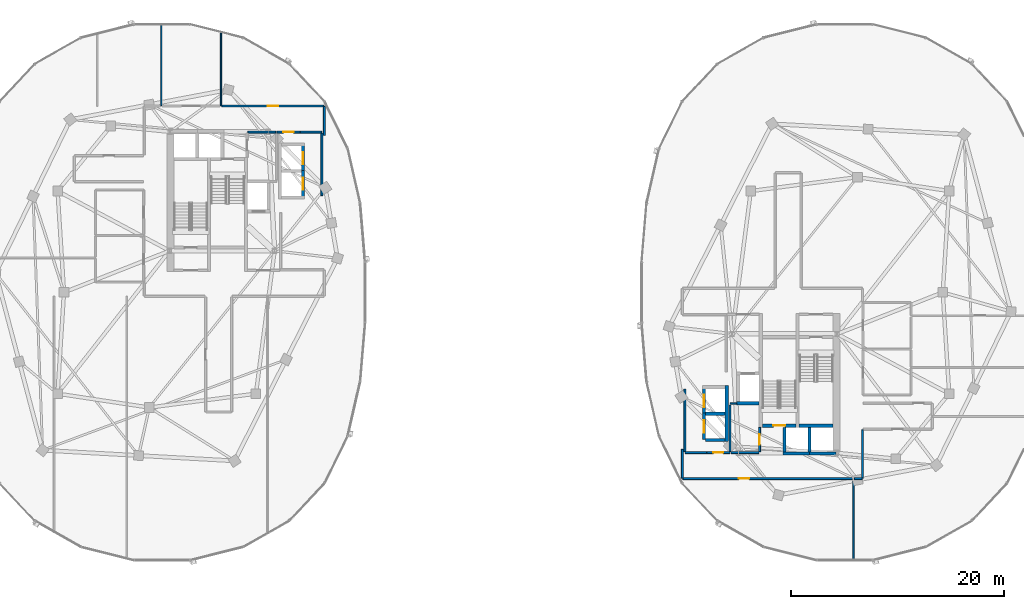
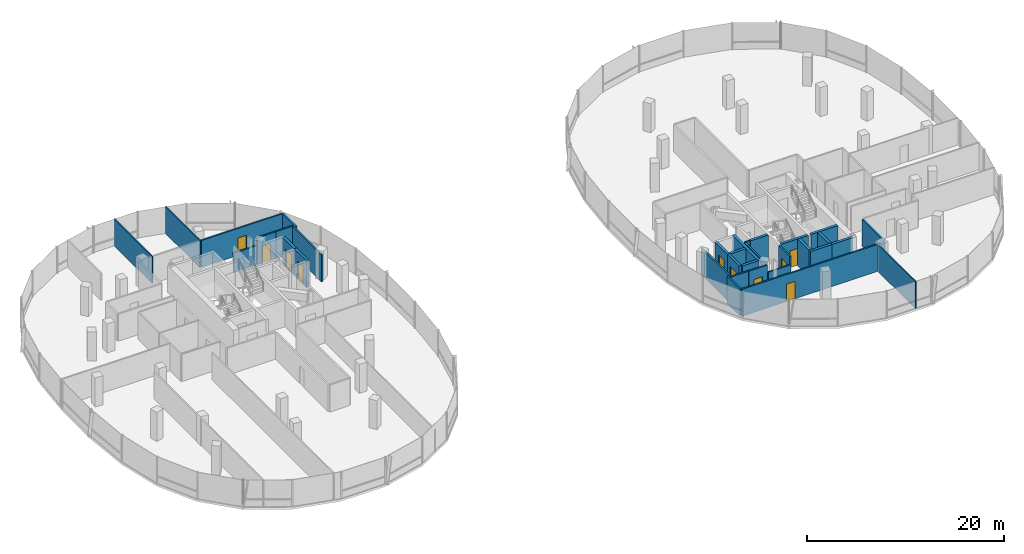
# One storey, part 16 of 25: 34 walls, 10 doors, 10 openings.
"""IFC4 building model written with IfcOpenShell, lengths in metres."""

from ifc_helpers import new_model, si_unit, direction, frame, frame_2d, origin, place, context, subcontext, project, spatial, rectangle, extrude, material, layer, layer_set, type_object, element, fill, save


model = new_model("IFC4")

# Units and contexts
model_context = context("Model", 3, precision=1e-05, world=origin(), true_north=direction((0.0, 1.0)))
body_context = subcontext(model_context, "Body", "Model", "MODEL_VIEW")
ifc_project = project(units=[si_unit("LENGTHUNIT", "METRE"), si_unit("AREAUNIT", "SQUARE_METRE"), si_unit("VOLUMEUNIT", "CUBIC_METRE"), si_unit("PLANEANGLEUNIT", "RADIAN"), si_unit("MASSUNIT", "GRAM", prefix="KILO"), si_unit("THERMODYNAMICTEMPERATUREUNIT", "KELVIN"), si_unit("POWERUNIT", "WATT")], contexts=[model_context])

# Site, building, storey
site_placement = place(None, origin())
site = spatial("IfcSite", under=ifc_project, at=site_placement, CompositionType="ELEMENT")
building_placement = place(site_placement, origin())
building = spatial("IfcBuilding", under=site, at=building_placement, Name="Cundina Bronze Exchange", CompositionType="ELEMENT")
storey_placement = place(building_placement, frame((0.0, 0.0, 199.0)))
storey = spatial("IfcBuildingStorey", under=building, at=storey_placement, Name="L52", CompositionType="ELEMENT", Elevation=199.0)

# Wall
ifc_material_1 = material(Name="Gypsum Fireboard Partition EI120")
ifc_layer_1 = layer(ifc_material_1, 0.179931640625, Name="Gypsum Fireboard Partition EI120")
ifc_layer_set_1 = layer_set([ifc_layer_1], Name="Gypsum Fireboard Partition EI120")
wall_type_1 = type_object("IfcWallType", Name="WL-COR-180", PredefinedType="PARTITIONING", material=ifc_layer_set_1)
wall_1_placement = place(storey_placement, frame((-17.02001953125, 9.070068359375, 0.0), z_axis=(0.0, 0.0, 1.0), x_axis=(0.0, 1.0, 0.0)))
element("IfcWall", 1, at=wall_1_placement, inside=storey, type_object=wall_type_1, Name="L52 Interior Partition 001", PredefinedType="PARTITIONING", context=body_context, shape_type="SweptSolid", body=[
    extrude(rectangle(XDim=5.85986328125, YDim=0.179931640625, at=frame_2d((2.929931640625, 0.0))), origin(), (0.0, 0.0, 1.0), 3.340087890625),
])

# Wall, opening, door
wall_2_placement = place(storey_placement, frame((-21.22998046875, 15.030029296875, 0.0), z_axis=(0.0, 0.0, 1.0), x_axis=(1.0, 0.0, 0.0)))
wall_2 = element("IfcWall", 2, at=wall_2_placement, inside=storey, type_object=wall_type_1, Name="L52 Interior Partition 002", PredefinedType="PARTITIONING", context=body_context, shape_type="SweptSolid", body=[
    extrude(rectangle(XDim=2.159912109375, YDim=0.179931640625, at=frame_2d((1.080078125, 0.0))), origin(), (0.0, 0.0, 1.0), 3.340087890625),
])
opening_1_placement = place(wall_2_placement, frame((0.60498046875, 0.0, 0.0)))
opening_1 = element("IfcOpeningElement", 3, at=opening_1_placement, cuts=wall_2, Name="Opening DW-01", PredefinedType="OPENING", context=body_context, shape_type="SweptSolid", body=[
    extrude(rectangle(XDim=0.949951171875, YDim=2.10009765625, at=frame_2d((0.47509765625, 1.050048828125))), frame((0.0, 0.099853515625, 0.0), z_axis=(0.0, -1.0, 0.0), x_axis=(1.0, 0.0, 0.0)), (0.0, 0.0, 1.0), 0.199951171875),
])
ifc_material_2 = material(Name="Solid Andean Oak Timber Grade A", Category="wood")
door_type_1 = type_object("IfcDoorType", Name="DR-WC-950", OperationType="NOTDEFINED", PredefinedType="DOOR", material=ifc_material_2)
door_1_placement = place(opening_1_placement, origin())
door_1 = element("IfcDoor", 4, at=door_1_placement, inside=storey, type_object=door_type_1, Name="L52 Interior Door 002", OperationType="SINGLE_SWING_LEFT", OverallHeight=2.10009765625, OverallWidth=0.949951171875, PredefinedType="DOOR", context=body_context, shape_type="SweptSolid", body=[
    extrude(rectangle(XDim=0.949951171875, YDim=2.10009765625, at=frame_2d((0.47509765625, 1.050048828125))), frame((0.0, 0.02490234375, 0.0), z_axis=(0.0, -1.0, 0.0), x_axis=(1.0, 0.0, 0.0)), (0.0, 0.0, 1.0), 0.050048828125),
])
fill(opening_1, door_1)

# Walls
wall_3_placement = place(storey_placement, frame((-19.030029296875, 15.030029296875, 0.0), z_axis=(0.0, 0.0, 1.0), x_axis=(1.0, 0.0, 0.0)))
element("IfcWall", 5, at=wall_3_placement, inside=storey, type_object=wall_type_1, Name="L52 Interior Partition 003", PredefinedType="PARTITIONING", context=body_context, shape_type="SweptSolid", body=[
    extrude(rectangle(XDim=1.989990234375, YDim=0.179931640625, at=frame_2d((0.9951171875, 0.0))), origin(), (0.0, 0.0, 1.0), 3.340087890625),
])
wall_4_placement = place(storey_placement, frame((-23.9599609375, 15.030029296875, 0.0), z_axis=(0.0, 0.0, 1.0), x_axis=(1.0, 0.0, 0.0)))
element("IfcWall", 6, at=wall_4_placement, inside=storey, type_object=wall_type_1, Name="L52 Interior Partition 006", PredefinedType="PARTITIONING", context=body_context, shape_type="SweptSolid", body=[
    extrude(rectangle(XDim=2.60986328125, YDim=0.179931640625, at=frame_2d((1.304931640625, 0.0))), origin(), (0.0, 0.0, 1.0), 2.4130859375),
])

# Wall, opening, door
wall_5_placement = place(storey_placement, frame((-16.821533203125, 17.469970703125, 0.0), z_axis=(0.0, 0.0, 1.0), x_axis=(-1.0, 0.0, 0.0)))
wall_5 = element("IfcWall", 7, at=wall_5_placement, inside=storey, type_object=wall_type_1, Name="L52 Interior Partition 029", PredefinedType="PARTITIONING", context=body_context, shape_type="SweptSolid", body=[
    extrude(rectangle(XDim=9.568359375, YDim=0.179931640625, at=frame_2d((4.7841796875, 0.0))), origin(), (0.0, 0.0, 1.0), 3.340087890625),
])
opening_2_placement = place(wall_5_placement, frame((4.2841796875, 0.0, 0.0)))
opening_2 = element("IfcOpeningElement", 8, at=opening_2_placement, cuts=wall_5, Name="Opening DO-01", PredefinedType="OPENING", context=body_context, shape_type="SweptSolid", body=[
    extrude(rectangle(XDim=1.0, YDim=2.14990234375, at=frame_2d((0.5, 1.074951171875))), frame((0.0, 0.099853515625, 0.0), z_axis=(0.0, -1.0, 0.0), x_axis=(1.0, 0.0, 0.0)), (0.0, 0.0, 1.0), 0.199951171875),
])
door_type_2 = type_object("IfcDoorType", Name="DR-OFF-1000", OperationType="NOTDEFINED", PredefinedType="DOOR", material=ifc_material_2)
door_2_placement = place(opening_2_placement, origin())
door_2 = element("IfcDoor", 9, at=door_2_placement, inside=storey, type_object=door_type_2, Name="L52 Interior Door 029", OperationType="SINGLE_SWING_RIGHT", OverallHeight=2.14990234375, OverallWidth=1.0, PredefinedType="DOOR", context=body_context, shape_type="SweptSolid", body=[
    extrude(rectangle(XDim=1.0, YDim=2.14990234375, at=frame_2d((0.5, 1.074951171875))), frame((0.0, 0.02490234375, 0.0), z_axis=(0.0, -1.0, 0.0), x_axis=(1.0, 0.0, 0.0)), (0.0, 0.0, 1.0), 0.050048828125),
])
fill(opening_2, door_2)

# Walls
wall_6_placement = place(storey_placement, frame((-16.780029296875, 14.721435546875, 0.0), z_axis=(0.0, 0.0, 1.0), x_axis=(0.0, 1.0, 0.0)))
element("IfcWall", 10, at=wall_6_placement, inside=storey, type_object=wall_type_1, Name="L52 Interior Partition 032", PredefinedType="PARTITIONING", context=body_context, shape_type="SweptSolid", body=[
    extrude(rectangle(XDim=2.70703125, YDim=0.179931640625, at=frame_2d((1.353515625, 0.0))), origin(), (0.0, 0.0, 1.0), 3.340087890625),
])
wall_7_placement = place(storey_placement, frame((17.02001953125, -14.929931640625, 0.0), z_axis=(0.0, 0.0, 1.0), x_axis=(0.0, 1.0, 0.0)))
element("IfcWall", 11, at=wall_7_placement, inside=storey, type_object=wall_type_1, Name="L52 Interior Partition 040", PredefinedType="PARTITIONING", context=body_context, shape_type="SweptSolid", body=[
    extrude(rectangle(XDim=5.85986328125, YDim=0.179931640625, at=frame_2d((2.929931640625, 0.0))), origin(), (0.0, 0.0, 1.0), 3.340087890625),
])
wall_8_placement = place(storey_placement, frame((17.0400390625, -15.030029296875, 0.0), z_axis=(0.0, 0.0, 1.0), x_axis=(1.0, 0.0, 0.0)))
element("IfcWall", 12, at=wall_8_placement, inside=storey, type_object=wall_type_1, Name="L52 Interior Partition 041", PredefinedType="PARTITIONING", context=body_context, shape_type="SweptSolid", body=[
    extrude(rectangle(XDim=1.989990234375, YDim=0.179931640625, at=frame_2d((0.9951171875, 0.0))), origin(), (0.0, 0.0, 1.0), 3.340087890625),
])

# Wall, opening, door
wall_9_placement = place(storey_placement, frame((21.22998046875, -15.030029296875, 0.0), z_axis=(0.0, 0.0, 1.0), x_axis=(-1.0, 0.0, 0.0)))
wall_9 = element("IfcWall", 13, at=wall_9_placement, inside=storey, type_object=wall_type_1, Name="L52 Interior Partition 042", PredefinedType="PARTITIONING", context=body_context, shape_type="SweptSolid", body=[
    extrude(rectangle(XDim=2.159912109375, YDim=0.179931640625, at=frame_2d((1.080078125, 0.0))), origin(), (0.0, 0.0, 1.0), 3.340087890625),
])
opening_3_placement = place(wall_9_placement, frame((0.60498046875, 0.0, 0.0)))
opening_3 = element("IfcOpeningElement", 14, at=opening_3_placement, cuts=wall_9, Name="Opening DW-01", PredefinedType="OPENING", context=body_context, shape_type="SweptSolid", body=[
    extrude(rectangle(XDim=0.949951171875, YDim=2.10009765625, at=frame_2d((0.47509765625, 1.050048828125))), frame((0.0, 0.099853515625, 0.0), z_axis=(0.0, -1.0, 0.0), x_axis=(1.0, 0.0, 0.0)), (0.0, 0.0, 1.0), 0.199951171875),
])
door_3_placement = place(opening_3_placement, origin())
door_3 = element("IfcDoor", 15, at=door_3_placement, inside=storey, type_object=door_type_1, Name="L52 Interior Door 042", OperationType="SINGLE_SWING_RIGHT", OverallHeight=2.10009765625, OverallWidth=0.949951171875, PredefinedType="DOOR", context=body_context, shape_type="SweptSolid", body=[
    extrude(rectangle(XDim=0.949951171875, YDim=2.10009765625, at=frame_2d((0.47509765625, 1.050048828125))), frame((0.0, 0.02490234375, 0.0), z_axis=(0.0, -1.0, 0.0), x_axis=(1.0, 0.0, 0.0)), (0.0, 0.0, 1.0), 0.050048828125),
])
fill(opening_3, door_3)

# Walls
wall_10_placement = place(storey_placement, frame((21.25, -14.929931640625, 0.0), z_axis=(0.0, 0.0, 1.0), x_axis=(0.0, 1.0, 0.0)))
element("IfcWall", 16, at=wall_10_placement, inside=storey, type_object=wall_type_1, Name="L52 Interior Partition 044", PredefinedType="PARTITIONING", context=body_context, shape_type="SweptSolid", body=[
    extrude(rectangle(XDim=4.35986328125, YDim=0.179931640625, at=frame_2d((2.179931640625, 0.0))), origin(), (0.0, 0.0, 1.0), 3.340087890625),
])
wall_11_placement = place(storey_placement, frame((21.35009765625, -15.030029296875, 0.0), z_axis=(0.0, 0.0, 1.0), x_axis=(1.0, 0.0, 0.0)))
element("IfcWall", 17, at=wall_11_placement, inside=storey, type_object=wall_type_1, Name="L52 Interior Partition 045", PredefinedType="PARTITIONING", context=body_context, shape_type="SweptSolid", body=[
    extrude(rectangle(XDim=2.60986328125, YDim=0.179931640625, at=frame_2d((1.304931640625, 0.0))), origin(), (0.0, 0.0, 1.0), 2.4130859375),
])

# Wall, opening, door
wall_12_placement = place(storey_placement, frame((24.02001953125, -14.929931640625, 0.0), z_axis=(0.0, 0.0, 1.0), x_axis=(0.0, 1.0, 0.0)))
wall_12 = element("IfcWall", 18, at=wall_12_placement, inside=storey, type_object=wall_type_1, Name="L52 Interior Partition 046", PredefinedType="PARTITIONING", context=body_context, shape_type="SweptSolid", body=[
    extrude(rectangle(XDim=2.260009765625, YDim=0.179931640625, at=frame_2d((1.1298828125, 0.0))), origin(), (0.0, 0.0, 1.0), 3.340087890625),
])
opening_4_placement = place(wall_12_placement, frame((0.655029296875, 0.0, 0.0)))
opening_4 = element("IfcOpeningElement", 19, at=opening_4_placement, cuts=wall_12, Name="Opening DW-01", PredefinedType="OPENING", context=body_context, shape_type="SweptSolid", body=[
    extrude(rectangle(XDim=0.949951171875, YDim=2.10009765625, at=frame_2d((0.47509765625, 1.050048828125))), frame((0.0, 0.099853515625, 0.0), z_axis=(0.0, -1.0, 0.0), x_axis=(1.0, 0.0, 0.0)), (0.0, 0.0, 1.0), 0.199951171875),
])
door_4_placement = place(opening_4_placement, origin())
door_4 = element("IfcDoor", 20, at=door_4_placement, inside=storey, type_object=door_type_1, Name="L52 Interior Door 046", OperationType="SINGLE_SWING_RIGHT", OverallHeight=2.10009765625, OverallWidth=0.949951171875, PredefinedType="DOOR", context=body_context, shape_type="SweptSolid", body=[
    extrude(rectangle(XDim=0.949951171875, YDim=2.10009765625, at=frame_2d((0.47509765625, 1.050048828125))), frame((0.0, 0.02490234375, 0.0), z_axis=(0.0, -1.0, 0.0), x_axis=(1.0, 0.0, 0.0)), (0.0, 0.0, 1.0), 0.050048828125),
])
fill(opening_4, door_4)

# Walls
wall_13_placement = place(storey_placement, frame((33.669921875, -17.428466796875, 0.0), z_axis=(0.0, 0.0, 1.0), x_axis=(0.0, 1.0, 0.0)))
element("IfcWall", 21, at=wall_13_placement, inside=storey, type_object=wall_type_1, Name="L52 Interior Partition 060", PredefinedType="PARTITIONING", context=body_context, shape_type="SweptSolid", body=[
    extrude(rectangle(XDim=4.528564453125, YDim=0.179931640625, at=frame_2d((2.26416015625, 0.0))), origin(), (0.0, 0.0, 1.0), 3.340087890625),
])
wall_14_placement = place(storey_placement, frame((32.909912109375, -17.469970703125, 0.0), z_axis=(0.0, 0.0, 1.0), x_axis=(1.0, 0.0, 0.0)))
element("IfcWall", 22, at=wall_14_placement, inside=storey, type_object=wall_type_1, Name="L52 Interior Partition 062", PredefinedType="PARTITIONING", context=body_context, shape_type="SweptSolid", body=[
    extrude(rectangle(XDim=0.718505859375, YDim=0.179931640625, at=frame_2d((0.359375, 0.0))), origin(), (0.0, 0.0, 1.0), 3.340087890625),
])

# Wall, opening, door
wall_15_placement = place(storey_placement, frame((16.821533203125, -17.469970703125, 0.0), z_axis=(0.0, 0.0, 1.0), x_axis=(1.0, 0.0, 0.0)))
wall_15 = element("IfcWall", 23, at=wall_15_placement, inside=storey, type_object=wall_type_1, Name="L52 Interior Partition 065", PredefinedType="PARTITIONING", context=body_context, shape_type="SweptSolid", body=[
    extrude(rectangle(XDim=15.908447265625, YDim=0.179931640625, at=frame_2d((7.9541015625, 0.0))), origin(), (0.0, 0.0, 1.0), 3.340087890625),
])
opening_5_placement = place(wall_15_placement, frame((5.25390625, 0.0, 0.0)))
opening_5 = element("IfcOpeningElement", 24, at=opening_5_placement, cuts=wall_15, Name="Opening DO-01", PredefinedType="OPENING", context=body_context, shape_type="SweptSolid", body=[
    extrude(rectangle(XDim=1.0, YDim=2.14990234375, at=frame_2d((0.5, 1.074951171875))), frame((0.0, 0.099853515625, 0.0), z_axis=(0.0, -1.0, 0.0), x_axis=(1.0, 0.0, 0.0)), (0.0, 0.0, 1.0), 0.199951171875),
])
door_5_placement = place(opening_5_placement, origin())
door_5 = element("IfcDoor", 25, at=door_5_placement, inside=storey, type_object=door_type_2, Name="L52 Interior Door 065", OperationType="SINGLE_SWING_LEFT", OverallHeight=2.14990234375, OverallWidth=1.0, PredefinedType="DOOR", context=body_context, shape_type="SweptSolid", body=[
    extrude(rectangle(XDim=1.0, YDim=2.14990234375, at=frame_2d((0.5, 1.074951171875))), frame((0.0, 0.02490234375, 0.0), z_axis=(0.0, -1.0, 0.0), x_axis=(1.0, 0.0, 0.0)), (0.0, 0.0, 1.0), 0.050048828125),
])
fill(opening_5, door_5)

# Walls
wall_16_placement = place(storey_placement, frame((16.780029296875, -14.721435546875, 0.0), z_axis=(0.0, 0.0, 1.0), x_axis=(0.0, -1.0, 0.0)))
element("IfcWall", 26, at=wall_16_placement, inside=storey, type_object=wall_type_1, Name="L52 Interior Partition 071", PredefinedType="PARTITIONING", context=body_context, shape_type="SweptSolid", body=[
    extrude(rectangle(XDim=2.70703125, YDim=0.179931640625, at=frame_2d((1.353515625, 0.0))), origin(), (0.0, 0.0, 1.0), 3.340087890625),
])
ifc_material_3 = material(Name="Gypsum Acoustic Partition EI60")
ifc_layer_2 = layer(ifc_material_3, 0.125, Name="Gypsum Acoustic Partition EI60")
ifc_layer_set_2 = layer_set([ifc_layer_2], Name="Gypsum Acoustic Partition EI60")
wall_type_2 = type_object("IfcWallType", Name="WL-OFF-125", PredefinedType="PARTITIONING", material=ifc_layer_set_2)
wall_17_placement = place(storey_placement, frame((-32.080078125, 17.5, 0.0), z_axis=(0.0, 0.0, 1.0), x_axis=(0.0, 1.0, 0.0)))
element("IfcWall", 27, at=wall_17_placement, inside=storey, type_object=wall_type_2, Name="L52 Interior Partition 021", PredefinedType="PARTITIONING", context=body_context, shape_type="SweptSolid", body=[
    extrude(rectangle(XDim=7.68994140625, YDim=0.125, at=frame_2d((3.844970703125, 0.0))), origin(), (0.0, 0.0, 1.0), 3.340087890625),
])
wall_18_placement = place(storey_placement, frame((-26.47998046875, 17.5, 0.0), z_axis=(0.0, 0.0, 1.0), x_axis=(0.0, 1.0, 0.0)))
element("IfcWall", 28, at=wall_18_placement, inside=storey, type_object=wall_type_2, Name="L52 Interior Partition 022", PredefinedType="PARTITIONING", context=body_context, shape_type="SweptSolid", body=[
    extrude(rectangle(XDim=6.961181640625, YDim=0.125, at=frame_2d((3.48046875, 0.0))), origin(), (0.0, 0.0, 1.0), 3.340087890625),
])
wall_19_placement = place(storey_placement, frame((32.820068359375, -25.18994140625, 0.0), z_axis=(0.0, 0.0, 1.0), x_axis=(0.0, 1.0, 0.0)))
element("IfcWall", 29, at=wall_19_placement, inside=storey, type_object=wall_type_2, Name="L52 Interior Partition 058", PredefinedType="PARTITIONING", context=body_context, shape_type="SweptSolid", body=[
    extrude(rectangle(XDim=7.68994140625, YDim=0.125, at=frame_2d((3.844970703125, 0.0))), origin(), (0.0, 0.0, 1.0), 3.340087890625),
])

# Wall, opening, door
ifc_material_4 = material(Name="Concrete C50/60", Category="concrete")
ifc_layer_3 = layer(ifc_material_4, 0.300048828125, Name="Concrete C50/60", Category="concrete")
ifc_layer_set_3 = layer_set([ifc_layer_3], Name="Concrete C50/60")
wall_type_3 = type_object("IfcWallType", Name="WL-SHFT-300", PredefinedType="SHEAR", material=ifc_layer_set_3)
wall_20_placement = place(storey_placement, frame((-18.800048828125, 8.929931640625, 0.0), z_axis=(0.0, 0.0, 1.0), x_axis=(0.0, 1.0, 0.0)))
wall_20 = element("IfcWall", 30, at=wall_20_placement, inside=storey, type_object=wall_type_3, Name="L52 PM-W2 Hoistway Front Wall", PredefinedType="SHEAR", context=body_context, shape_type="SweptSolid", body=[
    extrude(rectangle(XDim=2.489990234375, YDim=0.300048828125, at=frame_2d((1.2451171875, 0.0))), origin(), (0.0, 0.0, 1.0), 3.340087890625),
])
opening_6_placement = place(wall_20_placement, frame((0.669921875, 0.0, 0.0)))
opening_6 = element("IfcOpeningElement", 31, at=opening_6_placement, cuts=wall_20, Name="Opening LD-01", PredefinedType="OPENING", context=body_context, shape_type="SweptSolid", body=[
    extrude(rectangle(XDim=1.14990234375, YDim=2.199951171875, at=frame_2d((0.574951171875, 1.10009765625))), frame((0.0, 0.159912109375, 0.0), z_axis=(0.0, -1.0, 0.0), x_axis=(1.0, 0.0, 0.0)), (0.0, 0.0, 1.0), 0.320068359375),
])
ifc_material_5 = material(Name="Steel ASTM A36 Painted", Category="steel")
door_type_3 = type_object("IfcDoorType", Name="DR-LND-1150", OperationType="NOTDEFINED", PredefinedType="TRAPDOOR", material=ifc_material_5)
door_6_placement = place(opening_6_placement, origin())
door_6 = element("IfcDoor", 32, at=door_6_placement, inside=storey, type_object=door_type_3, Name="L52 PM-W2 Sliding Landing Door", OperationType="SLIDING_TO_LEFT", OverallHeight=2.199951171875, OverallWidth=1.14990234375, PredefinedType="TRAPDOOR", context=body_context, shape_type="SweptSolid", body=[
    extrude(rectangle(XDim=1.14990234375, YDim=2.199951171875, at=frame_2d((0.574951171875, 1.10009765625))), frame((0.0, 0.02490234375, 0.0), z_axis=(0.0, -1.0, 0.0), x_axis=(1.0, 0.0, 0.0)), (0.0, 0.0, 1.0), 0.050048828125),
])
fill(opening_6, door_6)

wall_21_placement = place(storey_placement, frame((-18.800048828125, 11.330078125, 0.0), z_axis=(0.0, 0.0, 1.0), x_axis=(0.0, 1.0, 0.0)))
wall_21 = element("IfcWall", 33, at=wall_21_placement, inside=storey, type_object=wall_type_3, Name="L52 PM-W1 Hoistway Front Wall", PredefinedType="SHEAR", context=body_context, shape_type="SweptSolid", body=[
    extrude(rectangle(XDim=2.489990234375, YDim=0.300048828125, at=frame_2d((1.2451171875, 0.0))), origin(), (0.0, 0.0, 1.0), 3.340087890625),
])
opening_7_placement = place(wall_21_placement, frame((0.669921875, 0.0, 0.0)))
opening_7 = element("IfcOpeningElement", 34, at=opening_7_placement, cuts=wall_21, Name="Opening LD-01", PredefinedType="OPENING", context=body_context, shape_type="SweptSolid", body=[
    extrude(rectangle(XDim=1.14990234375, YDim=2.199951171875, at=frame_2d((0.574951171875, 1.10009765625))), frame((0.0, 0.159912109375, 0.0), z_axis=(0.0, -1.0, 0.0), x_axis=(1.0, 0.0, 0.0)), (0.0, 0.0, 1.0), 0.320068359375),
])
door_7_placement = place(opening_7_placement, origin())
door_7 = element("IfcDoor", 35, at=door_7_placement, inside=storey, type_object=door_type_3, Name="L52 PM-W1 Sliding Landing Door", OperationType="SLIDING_TO_LEFT", OverallHeight=2.199951171875, OverallWidth=1.14990234375, PredefinedType="TRAPDOOR", context=body_context, shape_type="SweptSolid", body=[
    extrude(rectangle(XDim=1.14990234375, YDim=2.199951171875, at=frame_2d((0.574951171875, 1.10009765625))), frame((0.0, 0.02490234375, 0.0), z_axis=(0.0, -1.0, 0.0), x_axis=(1.0, 0.0, 0.0)), (0.0, 0.0, 1.0), 0.050048828125),
])
fill(opening_7, door_7)

# Wall
wall_22_placement = place(storey_placement, frame((27.739990234375, -12.5, 0.0), z_axis=(0.0, 0.0, 1.0), x_axis=(1.0, 0.0, 0.0)))
element("IfcWall", 36, at=wall_22_placement, inside=storey, type_object=wall_type_3, Name="L52 Stair E1 Far Shaft Wall", PredefinedType="SHEAR", context=body_context, shape_type="SweptSolid", body=[
    extrude(rectangle(XDim=3.159912109375, YDim=0.300048828125, at=frame_2d((1.580078125, 0.0))), origin(), (0.0, 0.0, 1.0), 3.340087890625),
])

# Wall, opening, door
wall_23_placement = place(storey_placement, frame((24.280029296875, -12.5, 0.0), z_axis=(0.0, 0.0, 1.0), x_axis=(1.0, 0.0, 0.0)))
wall_23 = element("IfcWall", 37, at=wall_23_placement, inside=storey, type_object=wall_type_3, Name="L52 Stair E2 Landing Wall", PredefinedType="SHEAR", context=body_context, shape_type="SweptSolid", body=[
    extrude(rectangle(XDim=3.159912109375, YDim=0.300048828125, at=frame_2d((1.580078125, 0.0))), origin(), (0.0, 0.0, 1.0), 3.340087890625),
])
opening_8_placement = place(wall_23_placement, frame((1.030029296875, 0.0, 0.0)))
opening_8 = element("IfcOpeningElement", 38, at=opening_8_placement, cuts=wall_23, Name="Opening DS-01", PredefinedType="OPENING", context=body_context, shape_type="SweptSolid", body=[
    extrude(rectangle(XDim=1.10009765625, YDim=2.14990234375, at=frame_2d((0.550048828125, 1.074951171875))), frame((0.0, 0.159912109375, 0.0), z_axis=(0.0, -1.0, 0.0), x_axis=(1.0, 0.0, 0.0)), (0.0, 0.0, 1.0), 0.320068359375),
])
door_type_4 = type_object("IfcDoorType", Name="DR-STR-1100", OperationType="NOTDEFINED", PredefinedType="DOOR", material=ifc_material_5)
door_8_placement = place(opening_8_placement, origin())
door_8 = element("IfcDoor", 39, at=door_8_placement, inside=storey, type_object=door_type_4, Name="L52 Smokeproof Stair E2 Door", OperationType="SINGLE_SWING_RIGHT", OverallHeight=2.14990234375, OverallWidth=1.10009765625, PredefinedType="DOOR", context=body_context, shape_type="SweptSolid", body=[
    extrude(rectangle(XDim=1.10009765625, YDim=2.14990234375, at=frame_2d((0.550048828125, 1.074951171875))), frame((0.0, 0.02490234375, 0.0), z_axis=(0.0, -1.0, 0.0), x_axis=(1.0, 0.0, 0.0)), (0.0, 0.0, 1.0), 0.050048828125),
])
fill(opening_8, door_8)

# Walls
wall_24_placement = place(storey_placement, frame((21.8798828125, -10.39990234375, 0.0), z_axis=(0.0, 0.0, 1.0), x_axis=(1.0, 0.0, 0.0)))
element("IfcWall", 40, at=wall_24_placement, inside=storey, type_object=wall_type_3, Name="L52 FFL-E Hoistway Back Wall", PredefinedType="SHEAR", context=body_context, shape_type="SweptSolid", body=[
    extrude(rectangle(XDim=2.10009765625, YDim=0.300048828125, at=frame_2d((1.050048828125, 0.0))), origin(), (0.0, 0.0, 1.0), 3.340087890625),
])
wall_25_placement = place(storey_placement, frame((28.699951171875, -15.10009765625, 0.0), z_axis=(0.0, 0.0, 1.0), x_axis=(1.0, 0.0, 0.0)))
element("IfcWall", 41, at=wall_25_placement, inside=storey, type_object=wall_type_3, Name="L52 PH-E1 Hoistway Front Wall", PredefinedType="SHEAR", context=body_context, shape_type="SweptSolid", body=[
    extrude(rectangle(XDim=2.5, YDim=0.300048828125, at=frame_2d((1.25, 0.0))), origin(), (0.0, 0.0, 1.0), 3.340087890625),
])
wall_26_placement = place(storey_placement, frame((28.699951171875, -14.949951171875, 0.0), z_axis=(0.0, 0.0, 1.0), x_axis=(0.0, 1.0, 0.0)))
element("IfcWall", 42, at=wall_26_placement, inside=storey, type_object=wall_type_3, Name="L52 PH-E1 Hoistway Divider Wall", PredefinedType="SHEAR", context=body_context, shape_type="SweptSolid", body=[
    extrude(rectangle(XDim=2.300048828125, YDim=0.300048828125, at=frame_2d((1.14990234375, 0.0))), origin(), (0.0, 0.0, 1.0), 3.340087890625),
])
wall_27_placement = place(storey_placement, frame((26.199951171875, -15.10009765625, 0.0), z_axis=(0.0, 0.0, 1.0), x_axis=(1.0, 0.0, 0.0)))
element("IfcWall", 43, at=wall_27_placement, inside=storey, type_object=wall_type_3, Name="L52 PH-E2 Hoistway Front Wall", PredefinedType="SHEAR", context=body_context, shape_type="SweptSolid", body=[
    extrude(rectangle(XDim=2.5, YDim=0.300048828125, at=frame_2d((1.25, 0.0))), origin(), (0.0, 0.0, 1.0), 3.340087890625),
])
wall_28_placement = place(storey_placement, frame((26.35009765625, -14.949951171875, 0.0), z_axis=(0.0, 0.0, 1.0), x_axis=(0.0, 1.0, 0.0)))
element("IfcWall", 44, at=wall_28_placement, inside=storey, type_object=wall_type_3, Name="L52 PH-E2 Hoistway Divider Wall", PredefinedType="SHEAR", context=body_context, shape_type="SweptSolid", body=[
    extrude(rectangle(XDim=2.300048828125, YDim=0.300048828125, at=frame_2d((1.14990234375, 0.0))), origin(), (0.0, 0.0, 1.0), 3.340087890625),
])
wall_29_placement = place(storey_placement, frame((20.949951171875, -14.0, 0.0), z_axis=(0.0, 0.0, 1.0), x_axis=(0.0, 1.0, 0.0)))
element("IfcWall", 45, at=wall_29_placement, inside=storey, type_object=wall_type_3, Name="L52 E Passenger Bank Hoistway Back Wall", PredefinedType="SHEAR", context=body_context, shape_type="SweptSolid", body=[
    extrude(rectangle(XDim=5.25, YDim=0.300048828125, at=frame_2d((2.625, 0.0))), origin(), (0.0, 0.0, 1.0), 3.340087890625),
])
for number, where, z_axis, x_axis, name in (
    (46, (18.949951171875, -13.85009765625, 0.0), (0.0, 0.0, 1.0), (1.0, 0.0, 0.0), "L52 E Passenger Bank South Cap Wall"),
    (47, (18.949951171875, -11.375, 0.0), (0.0, 0.0, 1.0), (1.0, 0.0, 0.0), "L52 E Passenger Hoistway Divider 1"),
):
    element("IfcWall", number, at=place(storey_placement, frame(where, z_axis=z_axis, x_axis=x_axis)), inside=storey, type_object=wall_type_3, Name=name, PredefinedType="SHEAR", context=body_context, shape_type="SweptSolid", body=[
        extrude(rectangle(XDim=1.85009765625, YDim=0.300048828125, at=frame_2d((0.925048828125, 0.0))), origin(), (0.0, 0.0, 1.0), 3.340087890625),
    ])

# Wall, opening, door
wall_30_placement = place(storey_placement, frame((18.800048828125, -13.820068359375, 0.0), z_axis=(0.0, 0.0, 1.0), x_axis=(0.0, 1.0, 0.0)))
wall_30 = element("IfcWall", 48, at=wall_30_placement, inside=storey, type_object=wall_type_3, Name="L52 PM-E1 Hoistway Front Wall", PredefinedType="SHEAR", context=body_context, shape_type="SweptSolid", body=[
    extrude(rectangle(XDim=2.489990234375, YDim=0.300048828125, at=frame_2d((1.2451171875, 0.0))), origin(), (0.0, 0.0, 1.0), 3.340087890625),
])
opening_9_placement = place(wall_30_placement, frame((0.669921875, 0.0, 0.0)))
opening_9 = element("IfcOpeningElement", 49, at=opening_9_placement, cuts=wall_30, Name="Opening LD-01", PredefinedType="OPENING", context=body_context, shape_type="SweptSolid", body=[
    extrude(rectangle(XDim=1.14990234375, YDim=2.199951171875, at=frame_2d((0.574951171875, 1.10009765625))), frame((0.0, 0.159912109375, 0.0), z_axis=(0.0, -1.0, 0.0), x_axis=(1.0, 0.0, 0.0)), (0.0, 0.0, 1.0), 0.320068359375),
])
door_9_placement = place(opening_9_placement, origin())
door_9 = element("IfcDoor", 50, at=door_9_placement, inside=storey, type_object=door_type_3, Name="L52 PM-E1 Sliding Landing Door", OperationType="SLIDING_TO_LEFT", OverallHeight=2.199951171875, OverallWidth=1.14990234375, PredefinedType="TRAPDOOR", context=body_context, shape_type="SweptSolid", body=[
    extrude(rectangle(XDim=1.14990234375, YDim=2.199951171875, at=frame_2d((0.574951171875, 1.10009765625))), frame((0.0, 0.02490234375, 0.0), z_axis=(0.0, -1.0, 0.0), x_axis=(1.0, 0.0, 0.0)), (0.0, 0.0, 1.0), 0.050048828125),
])
fill(opening_9, door_9)

wall_31_placement = place(storey_placement, frame((18.800048828125, -11.419921875, 0.0), z_axis=(0.0, 0.0, 1.0), x_axis=(0.0, 1.0, 0.0)))
wall_31 = element("IfcWall", 51, at=wall_31_placement, inside=storey, type_object=wall_type_3, Name="L52 PM-E2 Hoistway Front Wall", PredefinedType="SHEAR", context=body_context, shape_type="SweptSolid", body=[
    extrude(rectangle(XDim=2.489990234375, YDim=0.300048828125, at=frame_2d((1.2451171875, 0.0))), origin(), (0.0, 0.0, 1.0), 3.340087890625),
])
opening_10_placement = place(wall_31_placement, frame((0.669921875, 0.0, 0.0)))
opening_10 = element("IfcOpeningElement", 52, at=opening_10_placement, cuts=wall_31, Name="Opening LD-01", PredefinedType="OPENING", context=body_context, shape_type="SweptSolid", body=[
    extrude(rectangle(XDim=1.14990234375, YDim=2.199951171875, at=frame_2d((0.574951171875, 1.10009765625))), frame((0.0, 0.159912109375, 0.0), z_axis=(0.0, -1.0, 0.0), x_axis=(1.0, 0.0, 0.0)), (0.0, 0.0, 1.0), 0.320068359375),
])
door_10_placement = place(opening_10_placement, origin())
door_10 = element("IfcDoor", 53, at=door_10_placement, inside=storey, type_object=door_type_3, Name="L52 PM-E2 Sliding Landing Door", OperationType="SLIDING_TO_LEFT", OverallHeight=2.199951171875, OverallWidth=1.14990234375, PredefinedType="TRAPDOOR", context=body_context, shape_type="SweptSolid", body=[
    extrude(rectangle(XDim=1.14990234375, YDim=2.199951171875, at=frame_2d((0.574951171875, 1.10009765625))), frame((0.0, 0.02490234375, 0.0), z_axis=(0.0, -1.0, 0.0), x_axis=(1.0, 0.0, 0.0)), (0.0, 0.0, 1.0), 0.050048828125),
])
fill(opening_10, door_10)

# Wall
ifc_material_6 = material(Name="Moisture-Resistant Masonry Block Grade M15", Category="masonry")
ifc_layer_4 = layer(ifc_material_6, 0.139892578125, Name="Moisture-Resistant Masonry Block Grade M15", Category="masonry")
ifc_layer_set_4 = layer_set([ifc_layer_4], Name="Moisture-Resistant Masonry Block Grade M15")
wall_type_4 = type_object("IfcWallType", Name="WL-WET-140", PredefinedType="PARTITIONING", material=ifc_layer_set_4)
wall_32_placement = place(storey_placement, frame((21.27001953125, -10.39990234375, 0.0), z_axis=(0.0, 0.0, 1.0), x_axis=(1.0, 0.0, 0.0)))
element("IfcWall", 54, at=wall_32_placement, inside=storey, type_object=wall_type_4, Name="L52 Interior Partition 043", PredefinedType="PARTITIONING", context=body_context, shape_type="SweptSolid", body=[
    extrude(rectangle(XDim=0.590087890625, YDim=0.139892578125, at=frame_2d((0.294921875, 0.0))), origin(), (0.0, 0.0, 1.0), 3.340087890625),
])

save(model, "model.ifc")
